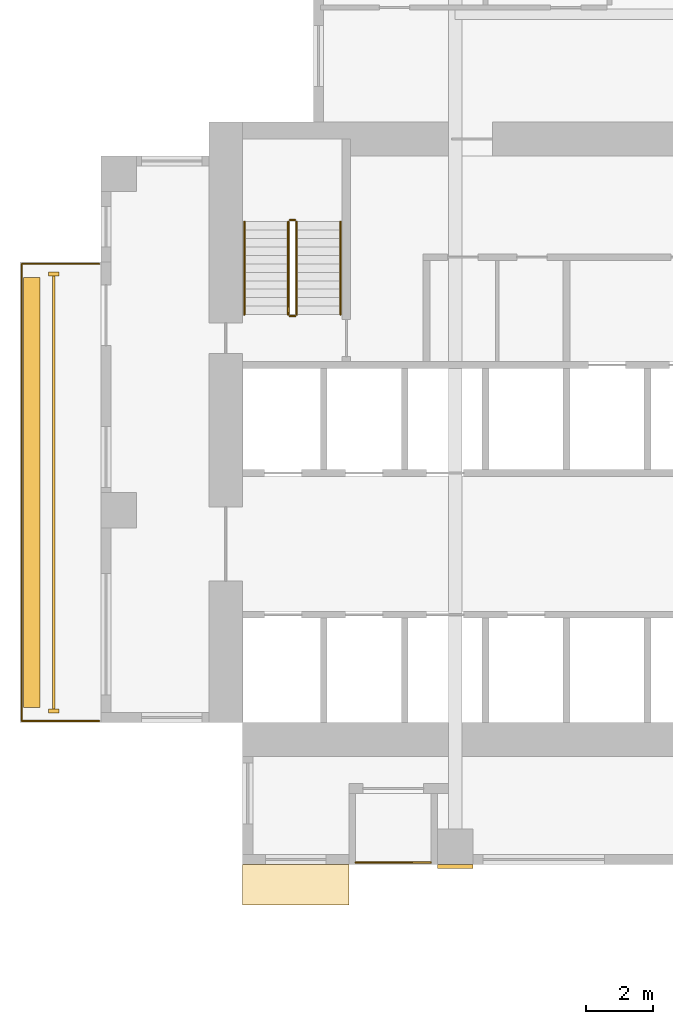
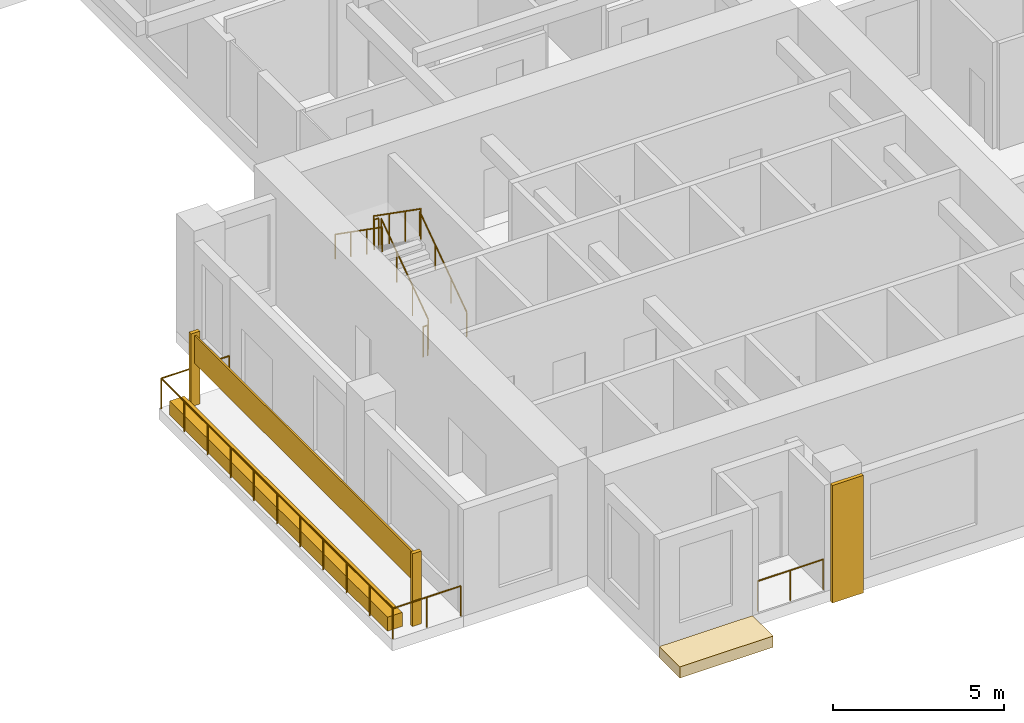
# One storey, part 10 of 14: 8 railings, 6 coverings.
"""IFC4 building model written with IfcOpenShell, lengths in metres."""

from ifc_helpers import new_model, si_unit, direction, frame, origin, origin_2d, place, context, subcontext, project, spatial, polyline, rectangle, circle, outline, extrude, source, transform, mapped, material, type_object, element, save


model = new_model("IFC4")

# Units and contexts
model_context = context("Model", 3, precision=1e-05, world=origin(), true_north=direction((0.0, 1.0)))
body_context = subcontext(model_context, "Body", "Model", "MODEL_VIEW")
ifc_project = project(units=[si_unit("LENGTHUNIT", "METRE"), si_unit("AREAUNIT", "SQUARE_METRE"), si_unit("VOLUMEUNIT", "CUBIC_METRE"), si_unit("PLANEANGLEUNIT", "RADIAN"), si_unit("MASSUNIT", "GRAM", prefix="KILO")], contexts=[model_context])

# Site, building, storey
site_placement = place(None, origin())
site = spatial("IfcSite", under=ifc_project, at=site_placement, CompositionType="ELEMENT")
building_placement = place(site_placement, origin())
building = spatial("IfcBuilding", under=site, at=building_placement, Name="Aurelian Terraces", CompositionType="ELEMENT")
storey_placement = place(building_placement, frame((0.0, 0.0, 103.5)))
storey = spatial("IfcBuildingStorey", under=building, at=storey_placement, Name="L22", CompositionType="ELEMENT", Elevation=103.5)

# Covering
ifc_material_1 = material(Name="Terracotta rainscreen cladding relief", Category="masonry")
covering_type_1 = type_object("IfcCoveringType", Name="BAGUETTE-TC", PredefinedType="CLADDING", material=ifc_material_1)
covering_1_placement = place(storey_placement, frame((10.5, -0.06, -0.4), z_axis=(0.0, 0.0, 1.0), x_axis=(1.0, 0.0, 0.0)))
element("IfcCovering", 1, at=covering_1_placement, inside=storey, type_object=covering_type_1, Name="BAGUETTE pier L22 1", PredefinedType="CLADDING", context=body_context, shape_type="SweptSolid", body=[
    extrude(rectangle(XDim=1.05, YDim=0.12, at=origin_2d()), origin(), (0.0, 0.0, 1.0), 4.2),
])

# Railing
ifc_material_2 = material(Name="Anodised aluminium", Category="aluminium")
railing_type_1 = type_object("IfcRailingType", Name="GUARD-1100", PredefinedType="GUARDRAIL", material=ifc_material_2)
railing_1_placement = place(storey_placement, frame((7.55, 0.06, 0.05)))
element("IfcRailing", 2, at=railing_1_placement, inside=storey, type_object=railing_type_1, Name="Loggia guard L22 F01.2", PredefinedType="GUARDRAIL", context=body_context, shape_type="SweptSolid", body=[
    extrude(circle(Radius=0.024, at=origin_2d()), frame((0.0, 0.0, 1.076), z_axis=(1.0, 0.0, 0.0), x_axis=(0.0, 1.0, 0.0)), (0.0, 0.0, 1.0), 2.225),
    extrude(circle(Radius=0.021, at=origin_2d()), origin(), (0.0, 0.0, 1.0), 1.052),
    extrude(circle(Radius=0.021, at=origin_2d()), frame((1.1125, 0.0, 0.0)), (0.0, 0.0, 1.0), 1.052),
    extrude(circle(Radius=0.021, at=origin_2d()), frame((2.225, 0.0, 0.0)), (0.0, 0.0, 1.0), 1.052),
])

# Coverings
covering_type_2 = type_object("IfcCoveringType", Name="FIN-TC", PredefinedType="CLADDING", material=ifc_material_1)
shared_shape_1 = source(origin(), body_context, "Body", "SweptSolid", [
    extrude(rectangle(XDim=0.3, YDim=0.12, at=origin_2d()), origin(), (0.0, 0.0, 1.0), 2.6),
])
for number, where, z_axis, x_axis, name in (
    (3, (-1.4, 17.5, 0.0), (0.0, 0.0, 1.0), (1.0, 0.0, 0.0), "FIN L22 L22-F24-41.1"),
    (4, (-1.4, 4.55, 0.0), (0.0, 0.0, 1.0), (1.0, 0.0, 0.0), "FIN L22 L22-F24-41.2"),
):
    element("IfcCovering", number, at=place(storey_placement, frame(where, z_axis=z_axis, x_axis=x_axis)), inside=storey, type_object=covering_type_2, Name=name, PredefinedType="CLADDING", context=body_context, shape_type="MappedRepresentation", body=[
        mapped(shared_shape_1, transform((0.0, 0.0, 0.0), scale=1.0)),
    ])

# Railing
shared_shape_2 = source(origin(), body_context, "Body", "SweptSolid", [
    extrude(circle(Radius=0.024, at=origin_2d()), frame((0.0, 0.0, 1.076), z_axis=(-1.0, 0.0, 0.0), x_axis=(0.0, -1.0, 0.0)), (0.0, 0.0, 1.0), 2.3),
    extrude(circle(Radius=0.024, at=origin_2d()), frame((-2.3, 0.0, 1.076), z_axis=(0.0, -1.0, 0.0), x_axis=(1.0, 0.0, 0.0)), (0.0, 0.0, 1.0), 13.55),
    extrude(circle(Radius=0.024, at=origin_2d()), frame((-2.3, -13.55, 1.076), z_axis=(1.0, 0.0, 0.0), x_axis=(0.0, 1.0, 0.0)), (0.0, 0.0, 1.0), 2.3),
    extrude(circle(Radius=0.021, at=origin_2d()), origin(), (0.0, 0.0, 1.0), 1.052),
    extrude(circle(Radius=0.021, at=origin_2d()), frame((-1.15, 0.0, 0.0)), (0.0, 0.0, 1.0), 1.052),
    extrude(circle(Radius=0.021, at=origin_2d()), frame((-2.3, 0.0, 0.0)), (0.0, 0.0, 1.0), 1.052),
    extrude(circle(Radius=0.021, at=origin_2d()), frame((-2.3, -1.355, 0.0)), (0.0, 0.0, 1.0), 1.052),
    extrude(circle(Radius=0.021, at=origin_2d()), frame((-2.3, -2.71, 0.0)), (0.0, 0.0, 1.0), 1.052),
    extrude(circle(Radius=0.021, at=origin_2d()), frame((-2.3, -4.065, 0.0)), (0.0, 0.0, 1.0), 1.052),
    extrude(circle(Radius=0.021, at=origin_2d()), frame((-2.3, -5.42, 0.0)), (0.0, 0.0, 1.0), 1.052),
    extrude(circle(Radius=0.021, at=origin_2d()), frame((-2.3, -6.775, 0.0)), (0.0, 0.0, 1.0), 1.052),
    extrude(circle(Radius=0.021, at=origin_2d()), frame((-2.3, -8.13, 0.0)), (0.0, 0.0, 1.0), 1.052),
    extrude(circle(Radius=0.021, at=origin_2d()), frame((-2.3, -9.485, 0.0)), (0.0, 0.0, 1.0), 1.052),
    extrude(circle(Radius=0.021, at=origin_2d()), frame((-2.3, -10.84, 0.0)), (0.0, 0.0, 1.0), 1.052),
    extrude(circle(Radius=0.021, at=origin_2d()), frame((-2.3, -12.195, 0.0)), (0.0, 0.0, 1.0), 1.052),
    extrude(circle(Radius=0.021, at=origin_2d()), frame((-2.3, -13.55, 0.0)), (0.0, 0.0, 1.0), 1.052),
    extrude(circle(Radius=0.021, at=origin_2d()), frame((-1.15, -13.55, 0.0)), (0.0, 0.0, 1.0), 1.052),
    extrude(circle(Radius=0.021, at=origin_2d()), frame((0.0, -13.55, 0.0)), (0.0, 0.0, 1.0), 1.052),
])
railing_2_placement = place(storey_placement, frame((-0.05, 17.8, 0.0)))
element("IfcRailing", 5, at=railing_2_placement, inside=storey, type_object=railing_type_1, Name="Balcony guard L22 F24.41", PredefinedType="GUARDRAIL", context=body_context, shape_type="MappedRepresentation", body=[
    mapped(shared_shape_2, transform((0.0, 0.0, 0.0), scale=1.0)),
])

# Coverings
ifc_material_3 = material(Name="Terracotta planter with planting soil", Category="masonry")
covering_type_3 = type_object("IfcCoveringType", Name="PLANTER-TROUGH", PredefinedType="USERDEFINED", material=ifc_material_3)
shared_shape_3 = source(origin(), body_context, "Body", "SweptSolid", [
    extrude(rectangle(XDim=0.5, YDim=12.75, at=origin_2d()), origin(), (0.0, 0.0, 1.0), 0.5),
])
covering_2_placement = place(storey_placement, frame((-2.05, 11.025, 0.0), z_axis=(0.0, 0.0, 1.0), x_axis=(1.0, 0.0, 0.0)))
element("IfcCovering", 6, at=covering_2_placement, inside=storey, type_object=covering_type_3, Name="PLANTER L22 L22-F24-41", ObjectType="PLANTER", PredefinedType="USERDEFINED", context=body_context, shape_type="MappedRepresentation", body=[
    mapped(shared_shape_3, transform((0.0, 0.0, 0.0), scale=1.0)),
])
ifc_material_4 = material(Name="Terracotta rainscreen cladding", Category="masonry")
covering_type_4 = type_object("IfcCoveringType", Name="SCREEN-TC", PredefinedType="CLADDING", material=ifc_material_4)
shared_shape_4 = source(origin(), body_context, "Body", "SweptSolid", [
    extrude(rectangle(XDim=0.06, YDim=12.83, at=origin_2d()), origin(), (0.0, 0.0, 1.0), 1.0),
])
covering_3_placement = place(storey_placement, frame((-1.4, 11.025, 1.5), z_axis=(0.0, 0.0, 1.0), x_axis=(1.0, 0.0, 0.0)))
element("IfcCovering", 7, at=covering_3_placement, inside=storey, type_object=covering_type_4, Name="SCREEN L22 L22-F24-41", PredefinedType="CLADDING", context=body_context, shape_type="MappedRepresentation", body=[
    mapped(shared_shape_4, transform((0.0, 0.0, 0.0), scale=1.0)),
])
ifc_material_5 = material(Name="Terracotta roof tiles on membrane", Category="masonry")
covering_type_5 = type_object("IfcCoveringType", Name="Bay roof cover", PredefinedType="ROOFING", material=ifc_material_5)
shared_shape_5 = source(origin(), body_context, "Body", "SweptSolid", [
    extrude(outline(polyline([(4.2, 0.0), (7.35, 0.0), (7.35, -1.2), (4.2, -1.2), (4.2, 0.0)])), origin(), (0.0, 0.0, 1.0), 0.4),
])
covering_4_placement = place(storey_placement, frame((0.0, 0.0, -0.4)))
element("IfcCovering", 8, at=covering_4_placement, inside=storey, type_object=covering_type_5, Name="Bay roof L22 4.20_-1.20_7.35_0.00", PredefinedType="ROOFING", context=body_context, shape_type="MappedRepresentation", body=[
    mapped(shared_shape_5, transform((0.0, 0.0, 0.0), scale=1.0)),
])

# Railings
ifc_material_6 = material(Name="Stainless steel", Category="steel")
railing_type_2 = type_object("IfcRailingType", Name="Stair guard 1100", PredefinedType="GUARDRAIL", material=ifc_material_6)
shared_shape_6 = source(origin(), body_context, "Body", "SweptSolid", [
    extrude(circle(Radius=0.024, at=origin_2d()), frame((0.0, 0.0, 1.076), z_axis=(-1.0, 0.0, 0.0), x_axis=(0.0, -1.0, 0.0)), (0.0, 0.0, 1.0), 0.15),
    extrude(circle(Radius=0.021, at=origin_2d()), origin(), (0.0, 0.0, 1.0), 1.052),
    extrude(circle(Radius=0.021, at=origin_2d()), frame((-0.15, 0.0, 0.0)), (0.0, 0.0, 1.0), 1.052),
])
for number, where, name in (
    (9, (5.75, 19.1, 2.1), "L22 S1 stair guard 2"),
    (10, (5.75, 16.25, 0.0), "L22 S1 stair guard 4"),
):
    element("IfcRailing", number, at=place(storey_placement, frame(where)), inside=storey, type_object=railing_type_2, Name=name, PredefinedType="GUARDRAIL", context=body_context, shape_type="MappedRepresentation", body=[
        mapped(shared_shape_6, transform((0.0, 0.0, 0.0), scale=1.0)),
    ])
shared_shape_7 = source(origin(), body_context, "Body", "SweptSolid", [
    extrude(circle(Radius=0.024, at=origin_2d()), frame((0.0, 0.0, 1.076), z_axis=(0.0, 0.819231920519, 0.573462344363), x_axis=(-1.0, 0.0, 0.0)), (0.0, 0.0, 1.0), 3.3568),
    extrude(circle(Radius=0.021, at=origin_2d()), origin(), (0.0, 0.0, 1.0), 1.052),
    extrude(circle(Radius=0.021, at=origin_2d()), frame((0.0, 0.9167, 0.6417)), (0.0, 0.0, 1.0), 1.052),
    extrude(circle(Radius=0.021, at=origin_2d()), frame((0.0, 1.8333, 1.2833)), (0.0, 0.0, 1.0), 1.052),
    extrude(circle(Radius=0.021, at=origin_2d()), frame((0.0, 2.75, 1.925)), (0.0, 0.0, 1.0), 1.052),
])
railing_3_placement = place(storey_placement, frame((5.8, 16.3, 0.175)))
element("IfcRailing", 11, at=railing_3_placement, inside=storey, type_object=railing_type_2, Name="L22 S1 stair guard 1", PredefinedType="GUARDRAIL", context=body_context, shape_type="MappedRepresentation", body=[
    mapped(shared_shape_7, transform((0.0, 0.0, 0.0), scale=1.0)),
])
shared_shape_8 = source(origin(), body_context, "Body", "SweptSolid", [
    extrude(circle(Radius=0.024, at=origin_2d()), frame((0.0, 0.0, 1.076), z_axis=(0.0, -0.819231920519, 0.573462344363), x_axis=(1.0, 0.0, 0.0)), (0.0, 0.0, 1.0), 3.3568),
    extrude(circle(Radius=0.021, at=origin_2d()), origin(), (0.0, 0.0, 1.0), 1.052),
    extrude(circle(Radius=0.021, at=origin_2d()), frame((0.0, -0.9167, 0.6417)), (0.0, 0.0, 1.0), 1.052),
    extrude(circle(Radius=0.021, at=origin_2d()), frame((0.0, -1.8333, 1.2833)), (0.0, 0.0, 1.0), 1.052),
    extrude(circle(Radius=0.021, at=origin_2d()), frame((0.0, -2.75, 1.925)), (0.0, 0.0, 1.0), 1.052),
])
railing_4_placement = place(storey_placement, frame((5.55, 19.05, 2.275)))
element("IfcRailing", 12, at=railing_4_placement, inside=storey, type_object=railing_type_2, Name="L22 S1 stair guard 3", PredefinedType="GUARDRAIL", context=body_context, shape_type="MappedRepresentation", body=[
    mapped(shared_shape_8, transform((0.0, 0.0, 0.0), scale=1.0)),
])
railing_type_3 = type_object("IfcRailingType", Name="Stair handrail", PredefinedType="HANDRAIL", material=ifc_material_6)
shared_shape_9 = source(origin(), body_context, "Body", "SweptSolid", [
    extrude(circle(Radius=0.024, at=origin_2d()), frame((0.0, 0.0, 0.876), z_axis=(0.0, 0.819231920519, 0.573462344363), x_axis=(-1.0, 0.0, 0.0)), (0.0, 0.0, 1.0), 3.3568),
    extrude(circle(Radius=0.021, at=origin_2d()), origin(), (0.0, 0.0, 1.0), 0.852),
    extrude(circle(Radius=0.021, at=origin_2d()), frame((0.0, 0.9167, 0.6417)), (0.0, 0.0, 1.0), 0.852),
    extrude(circle(Radius=0.021, at=origin_2d()), frame((0.0, 1.8333, 1.2833)), (0.0, 0.0, 1.0), 0.852),
    extrude(circle(Radius=0.021, at=origin_2d()), frame((0.0, 2.75, 1.925)), (0.0, 0.0, 1.0), 0.852),
])
railing_5_placement = place(storey_placement, frame((7.1, 16.3, 0.175)))
element("IfcRailing", 13, at=railing_5_placement, inside=storey, type_object=railing_type_3, Name="L22 S1 stair handrail 1", PredefinedType="HANDRAIL", context=body_context, shape_type="MappedRepresentation", body=[
    mapped(shared_shape_9, transform((0.0, 0.0, 0.0), scale=1.0)),
])
shared_shape_10 = source(origin(), body_context, "Body", "SweptSolid", [
    extrude(circle(Radius=0.024, at=origin_2d()), frame((0.0, 0.0, 0.876), z_axis=(0.0, -0.819231920519, 0.573462344363), x_axis=(1.0, 0.0, 0.0)), (0.0, 0.0, 1.0), 3.3568),
    extrude(circle(Radius=0.021, at=origin_2d()), origin(), (0.0, 0.0, 1.0), 0.852),
    extrude(circle(Radius=0.021, at=origin_2d()), frame((0.0, -0.9167, 0.6417)), (0.0, 0.0, 1.0), 0.852),
    extrude(circle(Radius=0.021, at=origin_2d()), frame((0.0, -1.8333, 1.2833)), (0.0, 0.0, 1.0), 0.852),
    extrude(circle(Radius=0.021, at=origin_2d()), frame((0.0, -2.75, 1.925)), (0.0, 0.0, 1.0), 0.852),
])
railing_6_placement = place(storey_placement, frame((4.25, 19.05, 2.275)))
element("IfcRailing", 14, at=railing_6_placement, inside=storey, type_object=railing_type_3, Name="L22 S1 stair handrail 2", PredefinedType="HANDRAIL", context=body_context, shape_type="MappedRepresentation", body=[
    mapped(shared_shape_10, transform((0.0, 0.0, 0.0), scale=1.0)),
])

save(model, "model.ifc")
